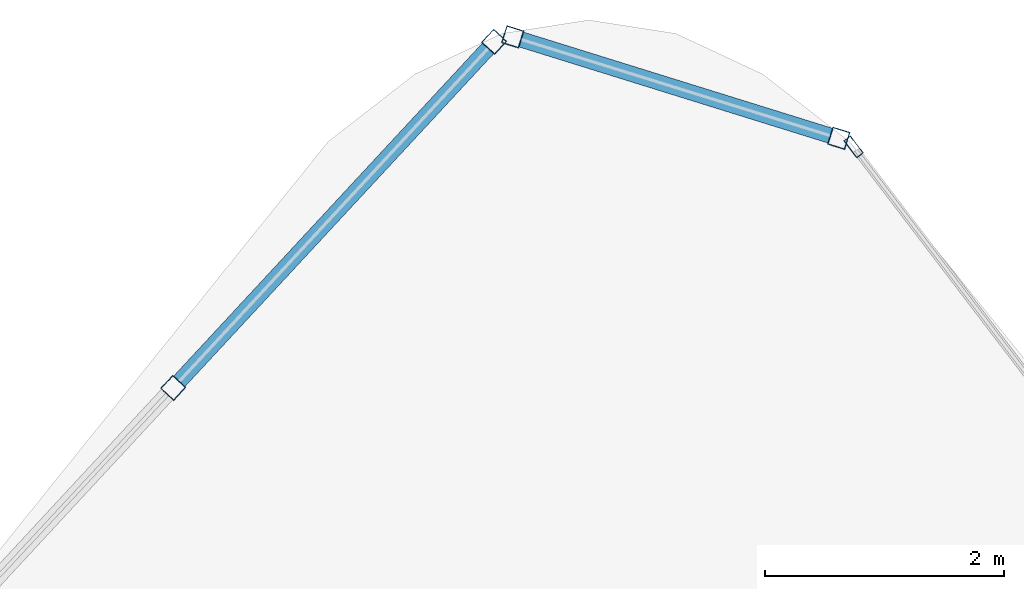
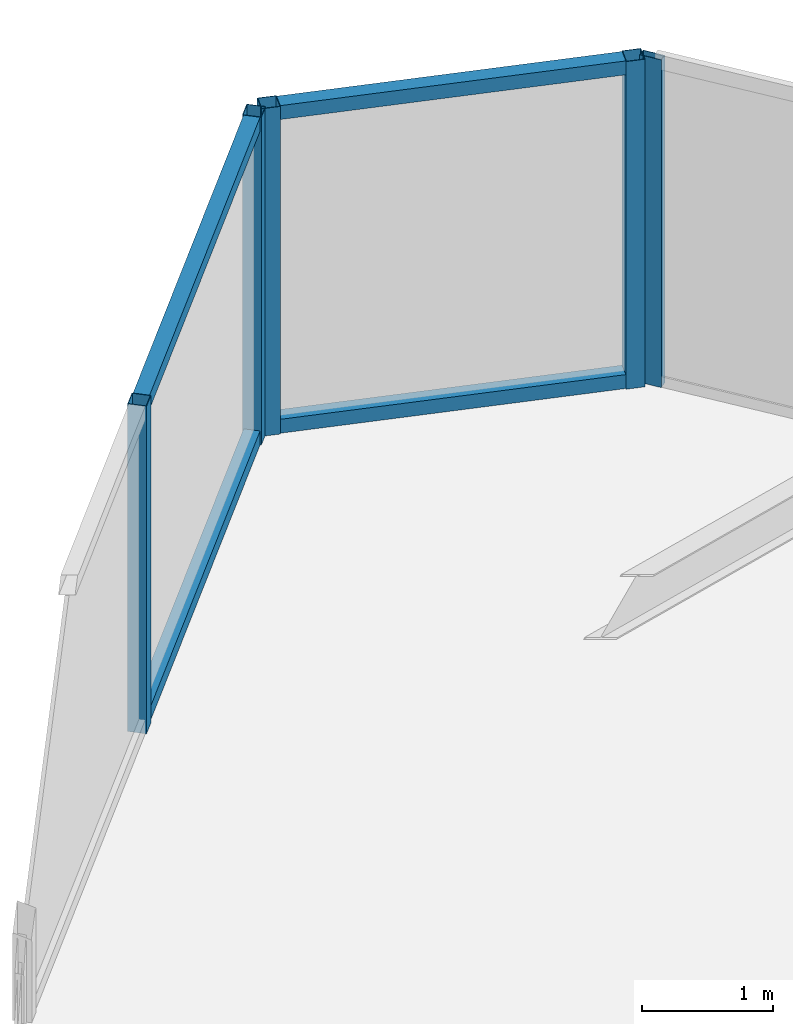
# One storey, part 27 of 38: 9 members, 3 elements without a shape of their own.
"""IFC4 building model written with IfcOpenShell, lengths in metres."""

from ifc_helpers import new_model, si_unit, direction, frame, origin, origin_2d, place, context, subcontext, project, spatial, hollow_rectangle, extrude, material, layer, layer_set, material_profile, profile_set, type_object, element, aggregate, save


model = new_model("IFC4")

# Units and contexts
model_context = context("Model", 3, precision=1e-05, world=origin(), true_north=direction((0.0, 1.0)))
body_context = subcontext(model_context, "Body", "Model", "MODEL_VIEW")
ifc_project = project(units=[si_unit("LENGTHUNIT", "METRE"), si_unit("AREAUNIT", "SQUARE_METRE"), si_unit("VOLUMEUNIT", "CUBIC_METRE"), si_unit("PLANEANGLEUNIT", "RADIAN"), si_unit("MASSUNIT", "GRAM", prefix="KILO")], contexts=[model_context])

# Site, building, storey
site_placement = place(None, origin())
site = spatial("IfcSite", under=ifc_project, at=site_placement, CompositionType="ELEMENT")
building_placement = place(site_placement, origin())
building = spatial("IfcBuilding", under=site, at=building_placement, Name="Orvanel Arch Residences", CompositionType="ELEMENT")
storey_placement = place(building_placement, frame((0.0, 0.0, 43.39990234375)))
storey = spatial("IfcBuildingStorey", under=building, at=storey_placement, Name="L11", CompositionType="ELEMENT", Elevation=43.39990234375)

# Curtain wall, members
ifc_material = material(Name="Bronze-anodised aluminium AA6063-T6", Category="aluminium")
ifc_layer_1 = layer(ifc_material, 0.18994140625)
ifc_layer_set_1 = layer_set([ifc_layer_1], Name="Bronze-anodised aluminium AA6063-T6")
curtain_wall_type_1 = type_object("IfcCurtainWallType", Name="CW5-CRN-SYS", PredefinedType="NOTDEFINED", material=ifc_layer_set_1)
curtain_wall_1_placement = place(storey_placement, origin())
curtain_wall_1 = element("IfcCurtainWall", 1, at=curtain_wall_1_placement, inside=storey, type_object=curtain_wall_type_1, Name="L11 CW5-CRN-SYS Unitised Curtain Wall", PredefinedType="NOTDEFINED")
ifc_material_profile_1 = material_profile(ifc_material, hollow_rectangle(XDim=0.14990234375, YDim=0.14990234375, WallThickness=0.0048828125, at=origin_2d()), Name="ALU150x150x5")
ifc_profile_set_1 = profile_set([ifc_material_profile_1], Name="Bronze-anodised aluminium AA6063-T6")
member_type_1 = type_object("IfcMemberType", Name="MUL-150x150", PredefinedType="MULLION", material=ifc_profile_set_1)
member_1_placement = place(storey_placement, frame((35.093505859375, 51.197265625, 0.0), z_axis=(0.0, 0.0, 1.0), x_axis=(-0.297026162506, -0.954869341212, 0.0)))
member_1 = element("IfcMember", 2, at=member_1_placement, type_object=member_type_1, Name="CW-S5 mullion 1", PredefinedType="MULLION", context=body_context, shape_type="SweptSolid", body=[
    extrude(hollow_rectangle(XDim=0.14990234375, YDim=0.14990234375, WallThickness=0.0048828125, at=origin_2d()), origin(), (0.0, 0.0, 1.0), 3.06005859375),
])
member_2_placement = place(storey_placement, frame((32.362548828125, 52.046630859375, 0.0), z_axis=(0.0, 0.0, 1.0), x_axis=(-0.297026162506, -0.954869341212, 0.0)))
member_2 = element("IfcMember", 3, at=member_2_placement, type_object=member_type_1, Name="CW-S5 mullion 2", PredefinedType="MULLION", context=body_context, shape_type="SweptSolid", body=[
    extrude(hollow_rectangle(XDim=0.14990234375, YDim=0.14990234375, WallThickness=0.0048828125, at=origin_2d()), origin(), (0.0, 0.0, 1.0), 3.06005859375),
])

curtain_wall_2_placement = place(storey_placement, origin())
curtain_wall_2 = element("IfcCurtainWall", 4, at=curtain_wall_2_placement, inside=storey, type_object=curtain_wall_type_1, Name="L11 CW5-CRN-SYS Unitised Curtain Wall", PredefinedType="NOTDEFINED")
member_3_placement = place(storey_placement, frame((32.20703125, 52.005126953125, 0.0), z_axis=(0.0, 0.0, 1.0), x_axis=(0.733235518375, -0.679974760262, 0.0)))
member_3 = element("IfcMember", 5, at=member_3_placement, type_object=member_type_1, Name="CW-S5 mullion 1", PredefinedType="MULLION", context=body_context, shape_type="SweptSolid", body=[
    extrude(hollow_rectangle(XDim=0.14990234375, YDim=0.14990234375, WallThickness=0.0048828125, at=origin_2d()), origin(), (0.0, 0.0, 1.0), 3.06005859375),
])
member_4_placement = place(storey_placement, frame((29.51953125, 49.10693359375, 0.0), z_axis=(0.0, 0.0, 1.0), x_axis=(0.733235518375, -0.679974760262, 0.0)))
member_4 = element("IfcMember", 6, at=member_4_placement, type_object=member_type_1, Name="CW-S5 mullion 2", PredefinedType="MULLION", context=body_context, shape_type="SweptSolid", body=[
    extrude(hollow_rectangle(XDim=0.14990234375, YDim=0.14990234375, WallThickness=0.0048828125, at=origin_2d()), origin(), (0.0, 0.0, 1.0), 3.06005859375),
])

# Curtain wall, member
ifc_layer_2 = layer(ifc_material, 0.179931640625)
ifc_layer_set_2 = layer_set([ifc_layer_2], Name="Bronze-anodised aluminium AA6063-T6")
curtain_wall_type_2 = type_object("IfcCurtainWallType", Name="CW2-LOW-SYS", PredefinedType="NOTDEFINED", material=ifc_layer_set_2)
curtain_wall_3_placement = place(storey_placement, origin())
curtain_wall_3 = element("IfcCurtainWall", 7, at=curtain_wall_3_placement, inside=storey, type_object=curtain_wall_type_2, Name="L11 CW2-LOW-SYS Unitised Curtain Wall", PredefinedType="NOTDEFINED")
ifc_material_profile_2 = material_profile(ifc_material, hollow_rectangle(XDim=0.070068359375, YDim=0.179931640625, WallThickness=0.00439453125, at=origin_2d()), Name="ALU180x70x4.5")
ifc_profile_set_2 = profile_set([ifc_material_profile_2], Name="Bronze-anodised aluminium AA6063-T6")
member_type_2 = type_object("IfcMemberType", Name="MUL-180x70", PredefinedType="MULLION", material=ifc_profile_set_2)
member_5_placement = place(storey_placement, frame((35.21728515625, 51.125244140625, 0.0), z_axis=(0.0, 0.0, 1.0), x_axis=(-0.795336402585, -0.606168299009, 0.0)))
member_5 = element("IfcMember", 8, at=member_5_placement, type_object=member_type_2, Name="CW-S2 mullion 4", PredefinedType="MULLION", context=body_context, shape_type="SweptSolid", body=[
    extrude(hollow_rectangle(XDim=0.070068359375, YDim=0.179931640625, WallThickness=0.00439453125, at=origin_2d()), origin(), (0.0, 0.0, 1.0), 3.06005859375),
])
aggregate(curtain_wall_3, [member_5])

# Member
ifc_material_profile_3 = material_profile(ifc_material, hollow_rectangle(XDim=0.1298828125, YDim=0.1298828125, WallThickness=0.00439453125, at=origin_2d()), Name="ALU130x130x4.5")
ifc_profile_set_3 = profile_set([ifc_material_profile_3], Name="Bronze-anodised aluminium AA6063-T6")
member_type_3 = type_object("IfcMemberType", Name="TRN-130x130", PredefinedType="USERDEFINED", material=ifc_profile_set_3)
member_6_placement = place(storey_placement, frame((35.021728515625, 51.219482421875, 0.065185546875), z_axis=(-0.954860751763, 0.297053774161, 0.0), x_axis=(-0.297053774161, -0.954860751763, 0.0)))
member_6 = element("IfcMember", 9, at=member_6_placement, type_object=member_type_3, Name="CW-S5 transom 1.1", ObjectType="TRANSOM", PredefinedType="USERDEFINED", context=body_context, shape_type="SweptSolid", body=[
    extrude(hollow_rectangle(XDim=0.1298828125, YDim=0.1298828125, WallThickness=0.00439453125, at=origin_2d()), origin(), (0.0, 0.0, 1.0), 2.709716796875),
])

member_7_placement = place(storey_placement, frame((35.021728515625, 51.219482421875, 2.9951171875), z_axis=(-0.954860751763, 0.297053774161, 0.0), x_axis=(-0.297053774161, -0.954860751763, 0.0)))
member_7 = element("IfcMember", 10, at=member_7_placement, type_object=member_type_3, Name="CW-S5 transom 1.2", ObjectType="TRANSOM", PredefinedType="USERDEFINED", context=body_context, shape_type="SweptSolid", body=[
    extrude(hollow_rectangle(XDim=0.1298828125, YDim=0.1298828125, WallThickness=0.00439453125, at=origin_2d()), origin(), (0.0, 0.0, 1.0), 2.709716796875),
])

aggregate(curtain_wall_1, [member_1, member_2, member_6, member_7])

member_8_placement = place(storey_placement, frame((32.156005859375, 51.949951171875, 0.065185546875), z_axis=(-0.679990407746, -0.733221007182, 0.0), x_axis=(0.733221007182, -0.679990407746, 0.0)))
member_8 = element("IfcMember", 11, at=member_8_placement, type_object=member_type_3, Name="CW-S5 transom 1.1", ObjectType="TRANSOM", PredefinedType="USERDEFINED", context=body_context, shape_type="SweptSolid", body=[
    extrude(hollow_rectangle(XDim=0.1298828125, YDim=0.1298828125, WallThickness=0.00439453125, at=origin_2d()), origin(), (0.0, 0.0, 1.0), 3.80224609375),
])

member_9_placement = place(storey_placement, frame((32.156005859375, 51.949951171875, 2.9951171875), z_axis=(-0.679990407746, -0.733221007182, 0.0), x_axis=(0.733221007182, -0.679990407746, 0.0)))
member_9 = element("IfcMember", 12, at=member_9_placement, type_object=member_type_3, Name="CW-S5 transom 1.2", ObjectType="TRANSOM", PredefinedType="USERDEFINED", context=body_context, shape_type="SweptSolid", body=[
    extrude(hollow_rectangle(XDim=0.1298828125, YDim=0.1298828125, WallThickness=0.00439453125, at=origin_2d()), origin(), (0.0, 0.0, 1.0), 3.80224609375),
])

aggregate(curtain_wall_2, [member_3, member_4, member_8, member_9])

save(model, "model.ifc")
